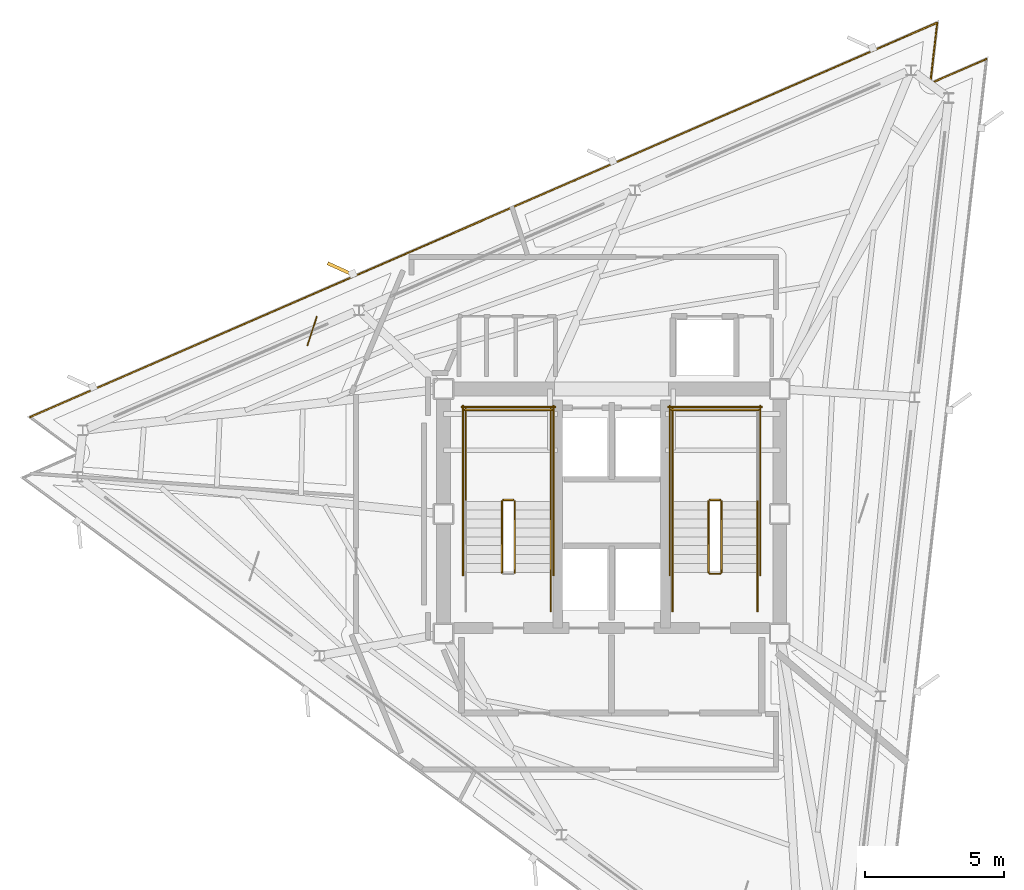
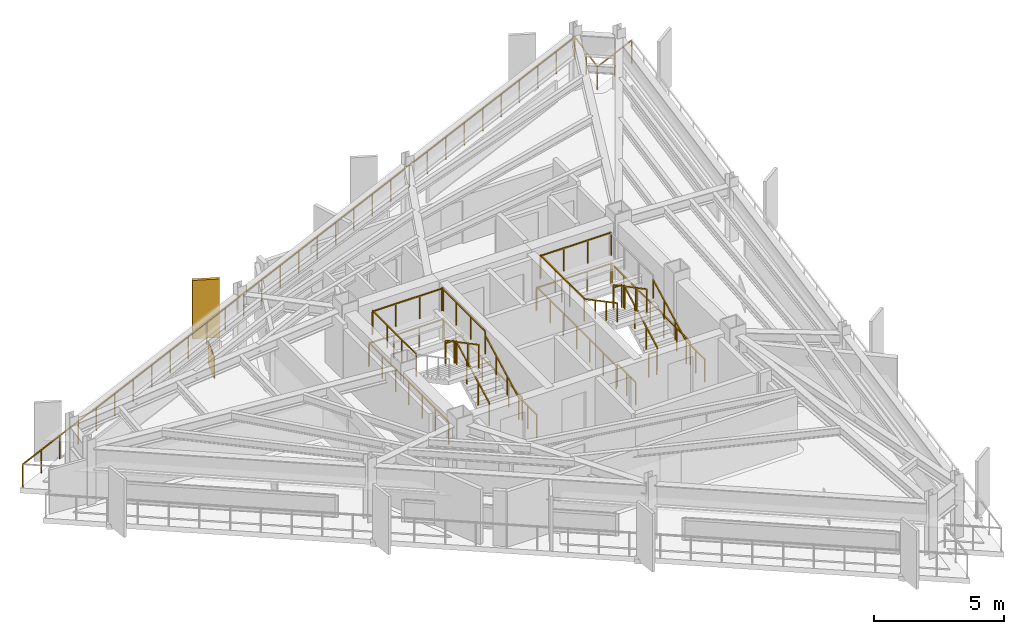
# One storey, part 8 of 9: 25 railings, 1 covering, 1 shading device.
"""IFC4 building model written with IfcOpenShell, lengths in metres."""

from ifc_helpers import new_model, si_unit, direction, frame, origin, origin_2d, place, context, subcontext, project, spatial, rectangle, extrude, material, layer, layer_set, type_object, element, save


model = new_model("IFC4")

# Units and contexts
model_context = context("Model", 3, precision=1e-05, world=origin(), true_north=direction((0.0, 1.0)))
body_context = subcontext(model_context, "Body", "Model", "MODEL_VIEW")
ifc_project = project(units=[si_unit("LENGTHUNIT", "METRE"), si_unit("AREAUNIT", "SQUARE_METRE"), si_unit("VOLUMEUNIT", "CUBIC_METRE"), si_unit("PLANEANGLEUNIT", "RADIAN"), si_unit("MASSUNIT", "GRAM", prefix="KILO")], contexts=[model_context])

# Site, building, storey
site_placement = place(None, origin())
site = spatial("IfcSite", under=ifc_project, at=site_placement, CompositionType="ELEMENT")
building_placement = place(site_placement, origin())
building = spatial("IfcBuilding", under=site, at=building_placement, Name="Rocaltana Carrier Exchange", CompositionType="ELEMENT")
storey_placement = place(building_placement, frame((0.0, 0.0, 236.159912109375)))
storey = spatial("IfcBuildingStorey", under=building, at=storey_placement, Name="L75", CompositionType="ELEMENT", Elevation=236.159912109375)

# Railings
ifc_material_1 = material(Name="Brushed Architectural Stainless Tube", Category="steel")
ifc_layer_1 = layer(ifc_material_1, 0.048095703125)
ifc_layer_set_1 = layer_set([ifc_layer_1], Name="Brushed Architectural Stainless Tube")
railing_type_1 = type_object("IfcRailingType", Name="Stair Wall Handrail 920", PredefinedType="HANDRAIL", material=ifc_layer_set_1)
for number, where, name in (
    (1, (-2.18994140625, -2.10009765625, 0.1689453125), "L75 ST-1 stair handrail 1"),
    (2, (5.25, -2.10009765625, 0.1689453125), "L75 ST-2 stair handrail 1"),
):
    element("IfcRailing", number, at=place(storey_placement, frame(where)), inside=storey, type_object=railing_type_1, Name=name, PredefinedType="HANDRAIL", context=body_context, shape_type="SweptSolid", body=[
        extrude(rectangle(XDim=0.048095703125, YDim=0.048095703125, at=origin_2d()), frame((0.0, 0.0, 0.8759765625), z_axis=(0.0, 0.884394423565, 0.466740295633), x_axis=(-1.0, 0.0, 0.0)), (0.0, 0.0, 1.0), 2.894775390625),
        extrude(rectangle(XDim=0.0419921875, YDim=0.0419921875, at=origin_2d()), origin(), (0.0, 0.0, 1.0), 0.851806640625),
        extrude(rectangle(XDim=0.0419921875, YDim=0.0419921875, at=origin_2d()), frame((0.0, 0.853271484375, 0.450439453125)), (0.0, 0.0, 1.0), 0.851806640625),
        extrude(rectangle(XDim=0.0419921875, YDim=0.0419921875, at=origin_2d()), frame((0.0, 1.706787109375, 0.900634765625)), (0.0, 0.0, 1.0), 0.851806640625),
        extrude(rectangle(XDim=0.0419921875, YDim=0.0419921875, at=origin_2d()), frame((0.0, 2.56005859375, 1.35107421875)), (0.0, 0.0, 1.0), 0.851806640625),
    ])
railing_1_placement = place(storey_placement, frame((2.18994140625, 0.4599609375, 1.68896484375)))
element("IfcRailing", 3, at=railing_1_placement, inside=storey, type_object=railing_type_1, Name="L75 ST-2 stair handrail 2", PredefinedType="HANDRAIL", context=body_context, shape_type="SweptSolid", body=[
    extrude(rectangle(XDim=0.048095703125, YDim=0.048095703125, at=origin_2d()), frame((0.0, 0.0, 0.8759765625), z_axis=(0.0, -0.884394423565, 0.466740295633), x_axis=(1.0, 0.0, 0.0)), (0.0, 0.0, 1.0), 2.894775390625),
    extrude(rectangle(XDim=0.0419921875, YDim=0.0419921875, at=origin_2d()), origin(), (0.0, 0.0, 1.0), 0.851806640625),
    extrude(rectangle(XDim=0.0419921875, YDim=0.0419921875, at=origin_2d()), frame((0.0, -0.853271484375, 0.450439453125)), (0.0, 0.0, 1.0), 0.851806640625),
    extrude(rectangle(XDim=0.0419921875, YDim=0.0419921875, at=origin_2d()), frame((0.0, -1.706787109375, 0.900634765625)), (0.0, 0.0, 1.0), 0.851806640625),
    extrude(rectangle(XDim=0.0419921875, YDim=0.0419921875, at=origin_2d()), frame((0.0, -2.56005859375, 1.35107421875)), (0.0, 0.0, 1.0), 0.851806640625),
])
ifc_material_2 = material(Name="Powder-Coated Aluminium 6063-T6", Category="aluminium")
ifc_layer_2 = layer(ifc_material_2, 0.048095703125)
ifc_layer_set_2 = layer_set([ifc_layer_2], Name="Powder-Coated Aluminium 6063-T6")
railing_type_2 = type_object("IfcRailingType", Name="Stair Well Guardrail 1100", PredefinedType="GUARDRAIL", material=ifc_layer_set_2)
railing_2_placement = place(storey_placement, frame((-3.489990234375, -2.10009765625, 0.1689453125)))
element("IfcRailing", 4, at=railing_2_placement, inside=storey, type_object=railing_type_2, Name="L75 ST-1 stair guard 1", PredefinedType="GUARDRAIL", context=body_context, shape_type="SweptSolid", body=[
    extrude(rectangle(XDim=0.048095703125, YDim=0.048095703125, at=origin_2d()), frame((0.0, 0.0, 1.076171875), z_axis=(0.0, 0.884394423565, 0.466740295633), x_axis=(-1.0, 0.0, 0.0)), (0.0, 0.0, 1.0), 2.894775390625),
    extrude(rectangle(XDim=0.0419921875, YDim=0.0419921875, at=origin_2d()), origin(), (0.0, 0.0, 1.0), 1.052001953125),
    extrude(rectangle(XDim=0.0419921875, YDim=0.0419921875, at=origin_2d()), frame((0.0, 0.853271484375, 0.450439453125)), (0.0, 0.0, 1.0), 1.052001953125),
    extrude(rectangle(XDim=0.0419921875, YDim=0.0419921875, at=origin_2d()), frame((0.0, 1.706787109375, 0.900634765625)), (0.0, 0.0, 1.0), 1.052001953125),
    extrude(rectangle(XDim=0.0419921875, YDim=0.0419921875, at=origin_2d()), frame((0.0, 2.56005859375, 1.35107421875)), (0.0, 0.0, 1.0), 1.052001953125),
])
railing_3_placement = place(storey_placement, frame((-3.5400390625, 0.510009765625, 1.52001953125)))
element("IfcRailing", 5, at=railing_3_placement, inside=storey, type_object=railing_type_2, Name="L75 ST-1 stair guard 2", PredefinedType="GUARDRAIL", context=body_context, shape_type="SweptSolid", body=[
    extrude(rectangle(XDim=0.048095703125, YDim=0.048095703125, at=origin_2d()), frame((0.0, 0.0, 1.076171875), z_axis=(-1.0, 0.0, 0.0), x_axis=(0.0, -1.0, 0.0)), (0.0, 0.0, 1.0), 0.35986328125),
    extrude(rectangle(XDim=0.0419921875, YDim=0.0419921875, at=origin_2d()), origin(), (0.0, 0.0, 1.0), 1.052001953125),
    extrude(rectangle(XDim=0.0419921875, YDim=0.0419921875, at=origin_2d()), frame((-0.35986328125, 0.0, 0.0)), (0.0, 0.0, 1.0), 1.052001953125),
])
for number, where, name in (
    (6, (-2.18994140625, 0.4599609375, 1.52001953125), "L75 ST-1 stair guard 3"),
    (7, (-5.25, 0.4599609375, 1.52001953125), "L75 ST-1 stair guard 4"),
):
    element("IfcRailing", number, at=place(storey_placement, frame(where)), inside=storey, type_object=railing_type_2, Name=name, PredefinedType="GUARDRAIL", context=body_context, shape_type="SweptSolid", body=[
        extrude(rectangle(XDim=0.048095703125, YDim=0.048095703125, at=origin_2d()), frame((0.0, 0.0, 1.076171875), z_axis=(0.0, 1.0, 0.0), x_axis=(-1.0, 0.0, 0.0)), (0.0, 0.0, 1.0), 3.340087890625),
        extrude(rectangle(XDim=0.0419921875, YDim=0.0419921875, at=origin_2d()), origin(), (0.0, 0.0, 1.0), 1.052001953125),
        extrude(rectangle(XDim=0.0419921875, YDim=0.0419921875, at=origin_2d()), frame((0.0, 1.11328125, 0.0)), (0.0, 0.0, 1.0), 1.052001953125),
        extrude(rectangle(XDim=0.0419921875, YDim=0.0419921875, at=origin_2d()), frame((0.0, 2.226806640625, 0.0)), (0.0, 0.0, 1.0), 1.052001953125),
        extrude(rectangle(XDim=0.0419921875, YDim=0.0419921875, at=origin_2d()), frame((0.0, 3.340087890625, 0.0)), (0.0, 0.0, 1.0), 1.052001953125),
    ])
railing_4_placement = place(storey_placement, frame((-2.139892578125, 3.75, 1.52001953125)))
element("IfcRailing", 8, at=railing_4_placement, inside=storey, type_object=railing_type_2, Name="L75 ST-1 stair guard 5", PredefinedType="GUARDRAIL", context=body_context, shape_type="SweptSolid", body=[
    extrude(rectangle(XDim=0.048095703125, YDim=0.048095703125, at=origin_2d()), frame((0.0, 0.0, 1.076171875), z_axis=(-1.0, 0.0, 0.0), x_axis=(0.0, -1.0, 0.0)), (0.0, 0.0, 1.0), 3.16015625),
    extrude(rectangle(XDim=0.0419921875, YDim=0.0419921875, at=origin_2d()), origin(), (0.0, 0.0, 1.0), 1.052001953125),
    extrude(rectangle(XDim=0.0419921875, YDim=0.0419921875, at=origin_2d()), frame((-1.053466796875, 0.0, 0.0)), (0.0, 0.0, 1.0), 1.052001953125),
    extrude(rectangle(XDim=0.0419921875, YDim=0.0419921875, at=origin_2d()), frame((-2.106689453125, 0.0, 0.0)), (0.0, 0.0, 1.0), 1.052001953125),
    extrude(rectangle(XDim=0.0419921875, YDim=0.0419921875, at=origin_2d()), frame((-3.16015625, 0.0, 0.0)), (0.0, 0.0, 1.0), 1.052001953125),
])
railing_5_placement = place(storey_placement, frame((-3.949951171875, 0.4599609375, 1.68896484375)))
element("IfcRailing", 9, at=railing_5_placement, inside=storey, type_object=railing_type_2, Name="L75 ST-1 stair guard 6", PredefinedType="GUARDRAIL", context=body_context, shape_type="SweptSolid", body=[
    extrude(rectangle(XDim=0.048095703125, YDim=0.048095703125, at=origin_2d()), frame((0.0, 0.0, 1.076171875), z_axis=(0.0, -0.884394423565, 0.466740295633), x_axis=(1.0, 0.0, 0.0)), (0.0, 0.0, 1.0), 2.894775390625),
    extrude(rectangle(XDim=0.0419921875, YDim=0.0419921875, at=origin_2d()), origin(), (0.0, 0.0, 1.0), 1.052001953125),
    extrude(rectangle(XDim=0.0419921875, YDim=0.0419921875, at=origin_2d()), frame((0.0, -0.853271484375, 0.450439453125)), (0.0, 0.0, 1.0), 1.052001953125),
    extrude(rectangle(XDim=0.0419921875, YDim=0.0419921875, at=origin_2d()), frame((0.0, -1.706787109375, 0.900634765625)), (0.0, 0.0, 1.0), 1.052001953125),
    extrude(rectangle(XDim=0.0419921875, YDim=0.0419921875, at=origin_2d()), frame((0.0, -2.56005859375, 1.35107421875)), (0.0, 0.0, 1.0), 1.052001953125),
])
railing_6_placement = place(storey_placement, frame((-2.18994140625, -3.5, 0.0)))
element("IfcRailing", 10, at=railing_6_placement, inside=storey, type_object=railing_type_2, Name="L75 ST-1 stair guard 8", PredefinedType="GUARDRAIL", context=body_context, shape_type="SweptSolid", body=[
    extrude(rectangle(XDim=0.048095703125, YDim=0.048095703125, at=origin_2d()), frame((0.0, 0.0, 1.076171875), z_axis=(0.0, 1.0, 0.0), x_axis=(-1.0, 0.0, 0.0)), (0.0, 0.0, 1.0), 1.39990234375),
    extrude(rectangle(XDim=0.0419921875, YDim=0.0419921875, at=origin_2d()), origin(), (0.0, 0.0, 1.0), 1.052001953125),
    extrude(rectangle(XDim=0.0419921875, YDim=0.0419921875, at=origin_2d()), frame((0.0, 0.699951171875, 0.0)), (0.0, 0.0, 1.0), 1.052001953125),
    extrude(rectangle(XDim=0.0419921875, YDim=0.0419921875, at=origin_2d()), frame((0.0, 1.39990234375, 0.0)), (0.0, 0.0, 1.0), 1.052001953125),
])
for number, where, name in (
    (11, (-2.090087890625, -2.199951171875, 0.0), "L75 ST-1 stair guard 10"),
    (12, (-5.35009765625, -2.199951171875, 0.0), "L75 ST-1 stair guard 11"),
):
    element("IfcRailing", number, at=place(storey_placement, frame(where)), inside=storey, type_object=railing_type_2, Name=name, PredefinedType="GUARDRAIL", context=body_context, shape_type="SweptSolid", body=[
        extrude(rectangle(XDim=0.048095703125, YDim=0.048095703125, at=origin_2d()), frame((0.0, 0.0, 1.076171875), z_axis=(0.0, 1.0, 0.0), x_axis=(-1.0, 0.0, 0.0)), (0.0, 0.0, 1.0), 6.099853515625),
        extrude(rectangle(XDim=0.0419921875, YDim=0.0419921875, at=origin_2d()), origin(), (0.0, 0.0, 1.0), 1.052001953125),
        extrude(rectangle(XDim=0.0419921875, YDim=0.0419921875, at=origin_2d()), frame((0.0, 1.0166015625, 0.0)), (0.0, 0.0, 1.0), 1.052001953125),
        extrude(rectangle(XDim=0.0419921875, YDim=0.0419921875, at=origin_2d()), frame((0.0, 2.033203125, 0.0)), (0.0, 0.0, 1.0), 1.052001953125),
        extrude(rectangle(XDim=0.0419921875, YDim=0.0419921875, at=origin_2d()), frame((0.0, 3.0498046875, 0.0)), (0.0, 0.0, 1.0), 1.052001953125),
        extrude(rectangle(XDim=0.0419921875, YDim=0.0419921875, at=origin_2d()), frame((0.0, 4.066650390625, 0.0)), (0.0, 0.0, 1.0), 1.052001953125),
        extrude(rectangle(XDim=0.0419921875, YDim=0.0419921875, at=origin_2d()), frame((0.0, 5.083251953125, 0.0)), (0.0, 0.0, 1.0), 1.052001953125),
        extrude(rectangle(XDim=0.0419921875, YDim=0.0419921875, at=origin_2d()), frame((0.0, 6.099853515625, 0.0)), (0.0, 0.0, 1.0), 1.052001953125),
    ])
railing_7_placement = place(storey_placement, frame((-2.0400390625, 3.85009765625, 0.0)))
element("IfcRailing", 13, at=railing_7_placement, inside=storey, type_object=railing_type_2, Name="L75 ST-1 stair guard 12", PredefinedType="GUARDRAIL", context=body_context, shape_type="SweptSolid", body=[
    extrude(rectangle(XDim=0.048095703125, YDim=0.048095703125, at=origin_2d()), frame((0.0, 0.0, 1.076171875), z_axis=(-1.0, 0.0, 0.0), x_axis=(0.0, -1.0, 0.0)), (0.0, 0.0, 1.0), 3.35986328125),
    extrude(rectangle(XDim=0.0419921875, YDim=0.0419921875, at=origin_2d()), origin(), (0.0, 0.0, 1.0), 1.052001953125),
    extrude(rectangle(XDim=0.0419921875, YDim=0.0419921875, at=origin_2d()), frame((-1.119873046875, 0.0, 0.0)), (0.0, 0.0, 1.0), 1.052001953125),
    extrude(rectangle(XDim=0.0419921875, YDim=0.0419921875, at=origin_2d()), frame((-2.239990234375, 0.0, 0.0)), (0.0, 0.0, 1.0), 1.052001953125),
    extrude(rectangle(XDim=0.0419921875, YDim=0.0419921875, at=origin_2d()), frame((-3.35986328125, 0.0, 0.0)), (0.0, 0.0, 1.0), 1.052001953125),
])
railing_8_placement = place(storey_placement, frame((3.949951171875, -2.10009765625, 0.1689453125)))
element("IfcRailing", 14, at=railing_8_placement, inside=storey, type_object=railing_type_2, Name="L75 ST-2 stair guard 1", PredefinedType="GUARDRAIL", context=body_context, shape_type="SweptSolid", body=[
    extrude(rectangle(XDim=0.048095703125, YDim=0.048095703125, at=origin_2d()), frame((0.0, 0.0, 1.076171875), z_axis=(0.0, 0.884394423565, 0.466740295633), x_axis=(-1.0, 0.0, 0.0)), (0.0, 0.0, 1.0), 2.894775390625),
    extrude(rectangle(XDim=0.0419921875, YDim=0.0419921875, at=origin_2d()), origin(), (0.0, 0.0, 1.0), 1.052001953125),
    extrude(rectangle(XDim=0.0419921875, YDim=0.0419921875, at=origin_2d()), frame((0.0, 0.853271484375, 0.450439453125)), (0.0, 0.0, 1.0), 1.052001953125),
    extrude(rectangle(XDim=0.0419921875, YDim=0.0419921875, at=origin_2d()), frame((0.0, 1.706787109375, 0.900634765625)), (0.0, 0.0, 1.0), 1.052001953125),
    extrude(rectangle(XDim=0.0419921875, YDim=0.0419921875, at=origin_2d()), frame((0.0, 2.56005859375, 1.35107421875)), (0.0, 0.0, 1.0), 1.052001953125),
])
railing_9_placement = place(storey_placement, frame((3.89990234375, 0.510009765625, 1.52001953125)))
element("IfcRailing", 15, at=railing_9_placement, inside=storey, type_object=railing_type_2, Name="L75 ST-2 stair guard 2", PredefinedType="GUARDRAIL", context=body_context, shape_type="SweptSolid", body=[
    extrude(rectangle(XDim=0.048095703125, YDim=0.048095703125, at=origin_2d()), frame((0.0, 0.0, 1.076171875), z_axis=(-1.0, 0.0, 0.0), x_axis=(0.0, -1.0, 0.0)), (0.0, 0.0, 1.0), 0.35986328125),
    extrude(rectangle(XDim=0.0419921875, YDim=0.0419921875, at=origin_2d()), origin(), (0.0, 0.0, 1.0), 1.052001953125),
    extrude(rectangle(XDim=0.0419921875, YDim=0.0419921875, at=origin_2d()), frame((-0.35986328125, 0.0, 0.0)), (0.0, 0.0, 1.0), 1.052001953125),
])
railing_10_placement = place(storey_placement, frame((2.18994140625, 0.4599609375, 1.52001953125)))
element("IfcRailing", 16, at=railing_10_placement, inside=storey, type_object=railing_type_2, Name="L75 ST-2 stair guard 4", PredefinedType="GUARDRAIL", context=body_context, shape_type="SweptSolid", body=[
    extrude(rectangle(XDim=0.048095703125, YDim=0.048095703125, at=origin_2d()), frame((0.0, 0.0, 1.076171875), z_axis=(0.0, 1.0, 0.0), x_axis=(-1.0, 0.0, 0.0)), (0.0, 0.0, 1.0), 3.340087890625),
    extrude(rectangle(XDim=0.0419921875, YDim=0.0419921875, at=origin_2d()), origin(), (0.0, 0.0, 1.0), 1.052001953125),
    extrude(rectangle(XDim=0.0419921875, YDim=0.0419921875, at=origin_2d()), frame((0.0, 1.11328125, 0.0)), (0.0, 0.0, 1.0), 1.052001953125),
    extrude(rectangle(XDim=0.0419921875, YDim=0.0419921875, at=origin_2d()), frame((0.0, 2.226806640625, 0.0)), (0.0, 0.0, 1.0), 1.052001953125),
    extrude(rectangle(XDim=0.0419921875, YDim=0.0419921875, at=origin_2d()), frame((0.0, 3.340087890625, 0.0)), (0.0, 0.0, 1.0), 1.052001953125),
])
railing_11_placement = place(storey_placement, frame((5.300048828125, 3.75, 1.52001953125)))
element("IfcRailing", 17, at=railing_11_placement, inside=storey, type_object=railing_type_2, Name="L75 ST-2 stair guard 5", PredefinedType="GUARDRAIL", context=body_context, shape_type="SweptSolid", body=[
    extrude(rectangle(XDim=0.048095703125, YDim=0.048095703125, at=origin_2d()), frame((0.0, 0.0, 1.076171875), z_axis=(-1.0, 0.0, 0.0), x_axis=(0.0, -1.0, 0.0)), (0.0, 0.0, 1.0), 3.16015625),
    extrude(rectangle(XDim=0.0419921875, YDim=0.0419921875, at=origin_2d()), origin(), (0.0, 0.0, 1.0), 1.052001953125),
    extrude(rectangle(XDim=0.0419921875, YDim=0.0419921875, at=origin_2d()), frame((-1.053466796875, 0.0, 0.0)), (0.0, 0.0, 1.0), 1.052001953125),
    extrude(rectangle(XDim=0.0419921875, YDim=0.0419921875, at=origin_2d()), frame((-2.106689453125, 0.0, 0.0)), (0.0, 0.0, 1.0), 1.052001953125),
    extrude(rectangle(XDim=0.0419921875, YDim=0.0419921875, at=origin_2d()), frame((-3.16015625, 0.0, 0.0)), (0.0, 0.0, 1.0), 1.052001953125),
])
railing_12_placement = place(storey_placement, frame((3.489990234375, 0.4599609375, 1.68896484375)))
element("IfcRailing", 18, at=railing_12_placement, inside=storey, type_object=railing_type_2, Name="L75 ST-2 stair guard 6", PredefinedType="GUARDRAIL", context=body_context, shape_type="SweptSolid", body=[
    extrude(rectangle(XDim=0.048095703125, YDim=0.048095703125, at=origin_2d()), frame((0.0, 0.0, 1.076171875), z_axis=(0.0, -0.884394423565, 0.466740295633), x_axis=(1.0, 0.0, 0.0)), (0.0, 0.0, 1.0), 2.894775390625),
    extrude(rectangle(XDim=0.0419921875, YDim=0.0419921875, at=origin_2d()), origin(), (0.0, 0.0, 1.0), 1.052001953125),
    extrude(rectangle(XDim=0.0419921875, YDim=0.0419921875, at=origin_2d()), frame((0.0, -0.853271484375, 0.450439453125)), (0.0, 0.0, 1.0), 1.052001953125),
    extrude(rectangle(XDim=0.0419921875, YDim=0.0419921875, at=origin_2d()), frame((0.0, -1.706787109375, 0.900634765625)), (0.0, 0.0, 1.0), 1.052001953125),
    extrude(rectangle(XDim=0.0419921875, YDim=0.0419921875, at=origin_2d()), frame((0.0, -2.56005859375, 1.35107421875)), (0.0, 0.0, 1.0), 1.052001953125),
])
railing_13_placement = place(storey_placement, frame((3.89990234375, -2.14990234375, 0.0)))
element("IfcRailing", 19, at=railing_13_placement, inside=storey, type_object=railing_type_2, Name="L75 ST-2 stair guard 7", PredefinedType="GUARDRAIL", context=body_context, shape_type="SweptSolid", body=[
    extrude(rectangle(XDim=0.048095703125, YDim=0.048095703125, at=origin_2d()), frame((0.0, 0.0, 1.076171875), z_axis=(-1.0, 0.0, 0.0), x_axis=(0.0, -1.0, 0.0)), (0.0, 0.0, 1.0), 0.35986328125),
    extrude(rectangle(XDim=0.0419921875, YDim=0.0419921875, at=origin_2d()), origin(), (0.0, 0.0, 1.0), 1.052001953125),
    extrude(rectangle(XDim=0.0419921875, YDim=0.0419921875, at=origin_2d()), frame((-0.35986328125, 0.0, 0.0)), (0.0, 0.0, 1.0), 1.052001953125),
])
for number, where, name in (
    (20, (5.25, -3.5, 0.0), "L75 ST-2 stair guard 8"),
    (21, (2.18994140625, -3.5, 0.0), "L75 ST-2 stair guard 9"),
):
    element("IfcRailing", number, at=place(storey_placement, frame(where)), inside=storey, type_object=railing_type_2, Name=name, PredefinedType="GUARDRAIL", context=body_context, shape_type="SweptSolid", body=[
        extrude(rectangle(XDim=0.048095703125, YDim=0.048095703125, at=origin_2d()), frame((0.0, 0.0, 1.076171875), z_axis=(0.0, 1.0, 0.0), x_axis=(-1.0, 0.0, 0.0)), (0.0, 0.0, 1.0), 1.39990234375),
        extrude(rectangle(XDim=0.0419921875, YDim=0.0419921875, at=origin_2d()), origin(), (0.0, 0.0, 1.0), 1.052001953125),
        extrude(rectangle(XDim=0.0419921875, YDim=0.0419921875, at=origin_2d()), frame((0.0, 0.699951171875, 0.0)), (0.0, 0.0, 1.0), 1.052001953125),
        extrude(rectangle(XDim=0.0419921875, YDim=0.0419921875, at=origin_2d()), frame((0.0, 1.39990234375, 0.0)), (0.0, 0.0, 1.0), 1.052001953125),
    ])
for number, where, name in (
    (22, (5.35009765625, -2.199951171875, 0.0), "L75 ST-2 stair guard 10"),
    (23, (2.090087890625, -2.199951171875, 0.0), "L75 ST-2 stair guard 11"),
):
    element("IfcRailing", number, at=place(storey_placement, frame(where)), inside=storey, type_object=railing_type_2, Name=name, PredefinedType="GUARDRAIL", context=body_context, shape_type="SweptSolid", body=[
        extrude(rectangle(XDim=0.048095703125, YDim=0.048095703125, at=origin_2d()), frame((0.0, 0.0, 1.076171875), z_axis=(0.0, 1.0, 0.0), x_axis=(-1.0, 0.0, 0.0)), (0.0, 0.0, 1.0), 6.099853515625),
        extrude(rectangle(XDim=0.0419921875, YDim=0.0419921875, at=origin_2d()), origin(), (0.0, 0.0, 1.0), 1.052001953125),
        extrude(rectangle(XDim=0.0419921875, YDim=0.0419921875, at=origin_2d()), frame((0.0, 1.0166015625, 0.0)), (0.0, 0.0, 1.0), 1.052001953125),
        extrude(rectangle(XDim=0.0419921875, YDim=0.0419921875, at=origin_2d()), frame((0.0, 2.033203125, 0.0)), (0.0, 0.0, 1.0), 1.052001953125),
        extrude(rectangle(XDim=0.0419921875, YDim=0.0419921875, at=origin_2d()), frame((0.0, 3.0498046875, 0.0)), (0.0, 0.0, 1.0), 1.052001953125),
        extrude(rectangle(XDim=0.0419921875, YDim=0.0419921875, at=origin_2d()), frame((0.0, 4.066650390625, 0.0)), (0.0, 0.0, 1.0), 1.052001953125),
        extrude(rectangle(XDim=0.0419921875, YDim=0.0419921875, at=origin_2d()), frame((0.0, 5.083251953125, 0.0)), (0.0, 0.0, 1.0), 1.052001953125),
        extrude(rectangle(XDim=0.0419921875, YDim=0.0419921875, at=origin_2d()), frame((0.0, 6.099853515625, 0.0)), (0.0, 0.0, 1.0), 1.052001953125),
    ])
railing_14_placement = place(storey_placement, frame((5.39990234375, 3.85009765625, 0.0)))
element("IfcRailing", 24, at=railing_14_placement, inside=storey, type_object=railing_type_2, Name="L75 ST-2 stair guard 12", PredefinedType="GUARDRAIL", context=body_context, shape_type="SweptSolid", body=[
    extrude(rectangle(XDim=0.048095703125, YDim=0.048095703125, at=origin_2d()), frame((0.0, 0.0, 1.076171875), z_axis=(-1.0, 0.0, 0.0), x_axis=(0.0, -1.0, 0.0)), (0.0, 0.0, 1.0), 3.35986328125),
    extrude(rectangle(XDim=0.0419921875, YDim=0.0419921875, at=origin_2d()), origin(), (0.0, 0.0, 1.0), 1.052001953125),
    extrude(rectangle(XDim=0.0419921875, YDim=0.0419921875, at=origin_2d()), frame((-1.119873046875, 0.0, 0.0)), (0.0, 0.0, 1.0), 1.052001953125),
    extrude(rectangle(XDim=0.0419921875, YDim=0.0419921875, at=origin_2d()), frame((-2.239990234375, 0.0, 0.0)), (0.0, 0.0, 1.0), 1.052001953125),
    extrude(rectangle(XDim=0.0419921875, YDim=0.0419921875, at=origin_2d()), frame((-3.35986328125, 0.0, 0.0)), (0.0, 0.0, 1.0), 1.052001953125),
])

# Covering
ifc_material_3 = material(Name="Honed Piedra Muneca Sandstone", Category="masonry")
ifc_layer_3 = layer(ifc_material_3, 0.034912109375)
ifc_layer_set_3 = layer_set([ifc_layer_3], Name="Honed Piedra Muneca Sandstone")
covering_type = type_object("IfcCoveringType", Name="Stone Facade Cladding 35", PredefinedType="CLADDING", material=ifc_layer_set_3)
covering_placement = place(storey_placement, frame((-10.77978515625, 6.5869140625, 0.0), z_axis=(0.0, 0.0, 1.0), x_axis=(0.309016994375, 0.951056516295, 0.0)))
element("IfcCovering", 25, at=covering_placement, inside=storey, type_object=covering_type, Name="L75 Stone Facade Cladding Panel 4", PredefinedType="CLADDING", context=body_context, shape_type="SweptSolid", body=[
    extrude(rectangle(XDim=1.10009765625, YDim=0.034912109375, at=origin_2d()), origin(), (0.0, 0.0, 1.0), 1.050048828125),
])

# Shading device
ifc_material_4 = material(Name="Honed Bogota Sandstone & Concrete C45/55", Category="masonry")
ifc_layer_4 = layer(ifc_material_4, 0.1201171875)
ifc_layer_set_4 = layer_set([ifc_layer_4], Name="Honed Bogota Sandstone & Concrete C45/55")
shading_device_type = type_object("IfcShadingDeviceType", Name="Upper Sandstone Shading Fin 1050x120", PredefinedType="USERDEFINED", material=ifc_layer_set_4)
shading_device_placement = place(storey_placement, frame((-9.74560546875, 8.809814453125, -0.1201171875), z_axis=(0.0, 0.0, 1.0), x_axis=(-0.909961270877, 0.414693242656, 0.0)))
element("IfcShadingDevice", 26, at=shading_device_placement, inside=storey, type_object=shading_device_type, Name="L75 Sandstone Vertical Fin F2-03", ObjectType="FIN", PredefinedType="USERDEFINED", context=body_context, shape_type="SweptSolid", body=[
    extrude(rectangle(XDim=1.050048828125, YDim=0.1201171875, at=origin_2d()), origin(), (0.0, 0.0, 1.0), 2.738037109375),
])

# Railing
ifc_material_5 = material(Name="Powder-Coated Aluminium 6063-T6", Category="aluminium")
ifc_layer_5 = layer(ifc_material_5, 0.06005859375)
ifc_layer_set_5 = layer_set([ifc_layer_5], Name="Powder-Coated Aluminium 6063-T6")
railing_type_3 = type_object("IfcRailingType", Name="Wind-Floor & Terrace Perimeter Guardrail 1100", PredefinedType="GUARDRAIL", material=ifc_layer_set_5)
railing_15_placement = place(storey_placement, frame((-20.923583984375, 3.490966796875, 0.0)))
element("IfcRailing", 27, at=railing_15_placement, inside=storey, type_object=railing_type_3, Name="L75 Perimeter Balcony Guardrail 2", PredefinedType="GUARDRAIL", context=body_context, shape_type="SweptSolid", body=[
    extrude(rectangle(XDim=0.048095703125, YDim=0.048095703125, at=origin_2d()), frame((0.0, 0.0, 1.076171875), z_axis=(0.917059586912, 0.398750190034, 0.0), x_axis=(-0.398750190034, 0.917059586912, 0.0)), (0.0, 0.0, 1.0), 35.59228515625),
    extrude(rectangle(XDim=0.048095703125, YDim=0.048095703125, at=origin_2d()), frame((32.64013671875, 14.1923828125, 1.076171875), z_axis=(-0.113196037832, -0.993572673245, 0.0), x_axis=(0.993572673245, -0.113196037832, 0.0)), (0.0, 0.0, 1.0), 2.199951171875),
    extrude(rectangle(XDim=0.048095703125, YDim=0.048095703125, at=origin_2d()), frame((32.39111328125, 12.006591796875, 1.076171875), z_axis=(0.917071820503, 0.398722053614, 0.0), x_axis=(-0.398722053614, 0.917071820503, 0.0)), (0.0, 0.0, 1.0), 2.199951171875),
    extrude(rectangle(XDim=0.0419921875, YDim=0.0419921875, at=origin_2d()), origin(), (0.0, 0.0, 1.0), 1.052001953125),
    extrude(rectangle(XDim=0.0419921875, YDim=0.0419921875, at=origin_2d()), frame((1.087890625, 0.47314453125, 0.0)), (0.0, 0.0, 1.0), 1.052001953125),
    extrude(rectangle(XDim=0.0419921875, YDim=0.0419921875, at=origin_2d()), frame((2.176025390625, 0.946044921875, 0.0)), (0.0, 0.0, 1.0), 1.052001953125),
    extrude(rectangle(XDim=0.0419921875, YDim=0.0419921875, at=origin_2d()), frame((3.263916015625, 1.419189453125, 0.0)), (0.0, 0.0, 1.0), 1.052001953125),
    extrude(rectangle(XDim=0.0419921875, YDim=0.0419921875, at=origin_2d()), frame((4.35205078125, 1.892333984375, 0.0)), (0.0, 0.0, 1.0), 1.052001953125),
    extrude(rectangle(XDim=0.0419921875, YDim=0.0419921875, at=origin_2d()), frame((5.43994140625, 2.365478515625, 0.0)), (0.0, 0.0, 1.0), 1.052001953125),
    extrude(rectangle(XDim=0.0419921875, YDim=0.0419921875, at=origin_2d()), frame((6.528076171875, 2.83837890625, 0.0)), (0.0, 0.0, 1.0), 1.052001953125),
    extrude(rectangle(XDim=0.0419921875, YDim=0.0419921875, at=origin_2d()), frame((7.615966796875, 3.3115234375, 0.0)), (0.0, 0.0, 1.0), 1.052001953125),
    extrude(rectangle(XDim=0.0419921875, YDim=0.0419921875, at=origin_2d()), frame((8.7041015625, 3.78466796875, 0.0)), (0.0, 0.0, 1.0), 1.052001953125),
    extrude(rectangle(XDim=0.0419921875, YDim=0.0419921875, at=origin_2d()), frame((9.7919921875, 4.2578125, 0.0)), (0.0, 0.0, 1.0), 1.052001953125),
    extrude(rectangle(XDim=0.0419921875, YDim=0.0419921875, at=origin_2d()), frame((10.880126953125, 4.730712890625, 0.0)), (0.0, 0.0, 1.0), 1.052001953125),
    extrude(rectangle(XDim=0.0419921875, YDim=0.0419921875, at=origin_2d()), frame((11.968017578125, 5.203857421875, 0.0)), (0.0, 0.0, 1.0), 1.052001953125),
    extrude(rectangle(XDim=0.0419921875, YDim=0.0419921875, at=origin_2d()), frame((13.05615234375, 5.677001953125, 0.0)), (0.0, 0.0, 1.0), 1.052001953125),
    extrude(rectangle(XDim=0.0419921875, YDim=0.0419921875, at=origin_2d()), frame((14.14404296875, 6.150146484375, 0.0)), (0.0, 0.0, 1.0), 1.052001953125),
    extrude(rectangle(XDim=0.0419921875, YDim=0.0419921875, at=origin_2d()), frame((15.232177734375, 6.623046875, 0.0)), (0.0, 0.0, 1.0), 1.052001953125),
    extrude(rectangle(XDim=0.0419921875, YDim=0.0419921875, at=origin_2d()), frame((16.320068359375, 7.09619140625, 0.0)), (0.0, 0.0, 1.0), 1.052001953125),
    extrude(rectangle(XDim=0.0419921875, YDim=0.0419921875, at=origin_2d()), frame((17.407958984375, 7.5693359375, 0.0)), (0.0, 0.0, 1.0), 1.052001953125),
    extrude(rectangle(XDim=0.0419921875, YDim=0.0419921875, at=origin_2d()), frame((18.49609375, 8.042236328125, 0.0)), (0.0, 0.0, 1.0), 1.052001953125),
    extrude(rectangle(XDim=0.0419921875, YDim=0.0419921875, at=origin_2d()), frame((19.583984375, 8.515380859375, 0.0)), (0.0, 0.0, 1.0), 1.052001953125),
    extrude(rectangle(XDim=0.0419921875, YDim=0.0419921875, at=origin_2d()), frame((20.672119140625, 8.988525390625, 0.0)), (0.0, 0.0, 1.0), 1.052001953125),
    extrude(rectangle(XDim=0.0419921875, YDim=0.0419921875, at=origin_2d()), frame((21.760009765625, 9.461669921875, 0.0)), (0.0, 0.0, 1.0), 1.052001953125),
    extrude(rectangle(XDim=0.0419921875, YDim=0.0419921875, at=origin_2d()), frame((22.84814453125, 9.9345703125, 0.0)), (0.0, 0.0, 1.0), 1.052001953125),
    extrude(rectangle(XDim=0.0419921875, YDim=0.0419921875, at=origin_2d()), frame((23.93603515625, 10.40771484375, 0.0)), (0.0, 0.0, 1.0), 1.052001953125),
    extrude(rectangle(XDim=0.0419921875, YDim=0.0419921875, at=origin_2d()), frame((25.024169921875, 10.880859375, 0.0)), (0.0, 0.0, 1.0), 1.052001953125),
    extrude(rectangle(XDim=0.0419921875, YDim=0.0419921875, at=origin_2d()), frame((26.112060546875, 11.35400390625, 0.0)), (0.0, 0.0, 1.0), 1.052001953125),
    extrude(rectangle(XDim=0.0419921875, YDim=0.0419921875, at=origin_2d()), frame((27.2001953125, 11.826904296875, 0.0)), (0.0, 0.0, 1.0), 1.052001953125),
    extrude(rectangle(XDim=0.0419921875, YDim=0.0419921875, at=origin_2d()), frame((28.2880859375, 12.300048828125, 0.0)), (0.0, 0.0, 1.0), 1.052001953125),
    extrude(rectangle(XDim=0.0419921875, YDim=0.0419921875, at=origin_2d()), frame((29.376220703125, 12.773193359375, 0.0)), (0.0, 0.0, 1.0), 1.052001953125),
    extrude(rectangle(XDim=0.0419921875, YDim=0.0419921875, at=origin_2d()), frame((30.464111328125, 13.246337890625, 0.0)), (0.0, 0.0, 1.0), 1.052001953125),
    extrude(rectangle(XDim=0.0419921875, YDim=0.0419921875, at=origin_2d()), frame((31.55224609375, 13.71923828125, 0.0)), (0.0, 0.0, 1.0), 1.052001953125),
    extrude(rectangle(XDim=0.0419921875, YDim=0.0419921875, at=origin_2d()), frame((32.64013671875, 14.1923828125, 0.0)), (0.0, 0.0, 1.0), 1.052001953125),
    extrude(rectangle(XDim=0.0419921875, YDim=0.0419921875, at=origin_2d()), frame((32.515625, 13.099609375, 0.0)), (0.0, 0.0, 1.0), 1.052001953125),
    extrude(rectangle(XDim=0.0419921875, YDim=0.0419921875, at=origin_2d()), frame((32.39111328125, 12.006591796875, 0.0)), (0.0, 0.0, 1.0), 1.052001953125),
    extrude(rectangle(XDim=0.0419921875, YDim=0.0419921875, at=origin_2d()), frame((33.39990234375, 12.4453125, 0.0)), (0.0, 0.0, 1.0), 1.052001953125),
    extrude(rectangle(XDim=0.0419921875, YDim=0.0419921875, at=origin_2d()), frame((34.40869140625, 12.8837890625, 0.0)), (0.0, 0.0, 1.0), 1.052001953125),
])

save(model, "model.ifc")
